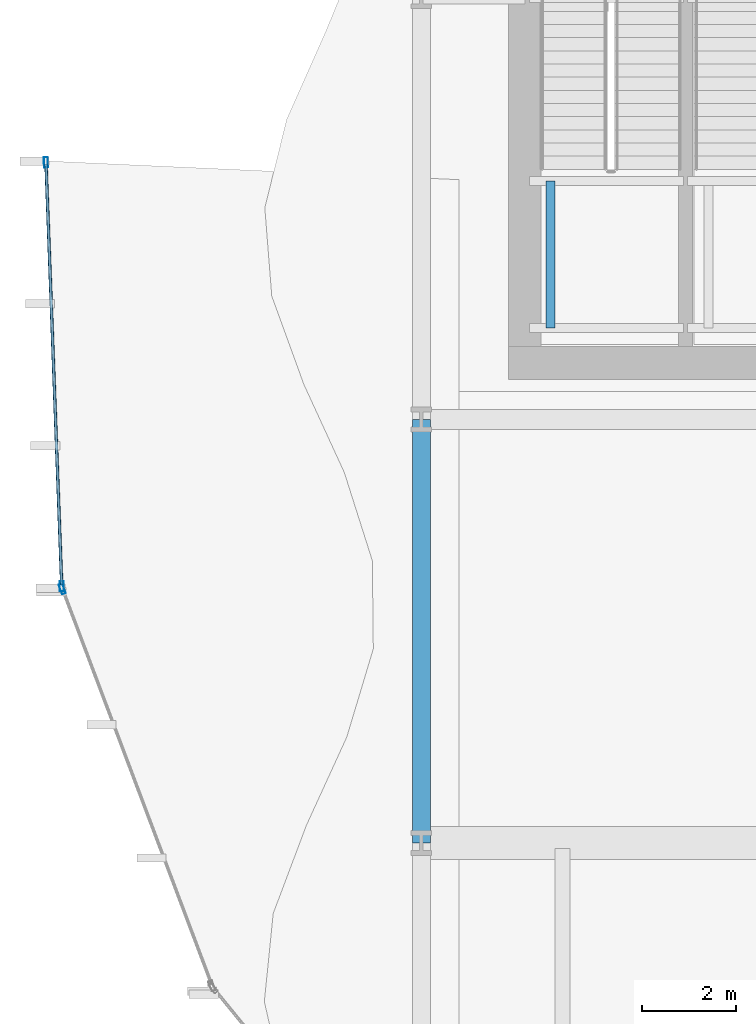
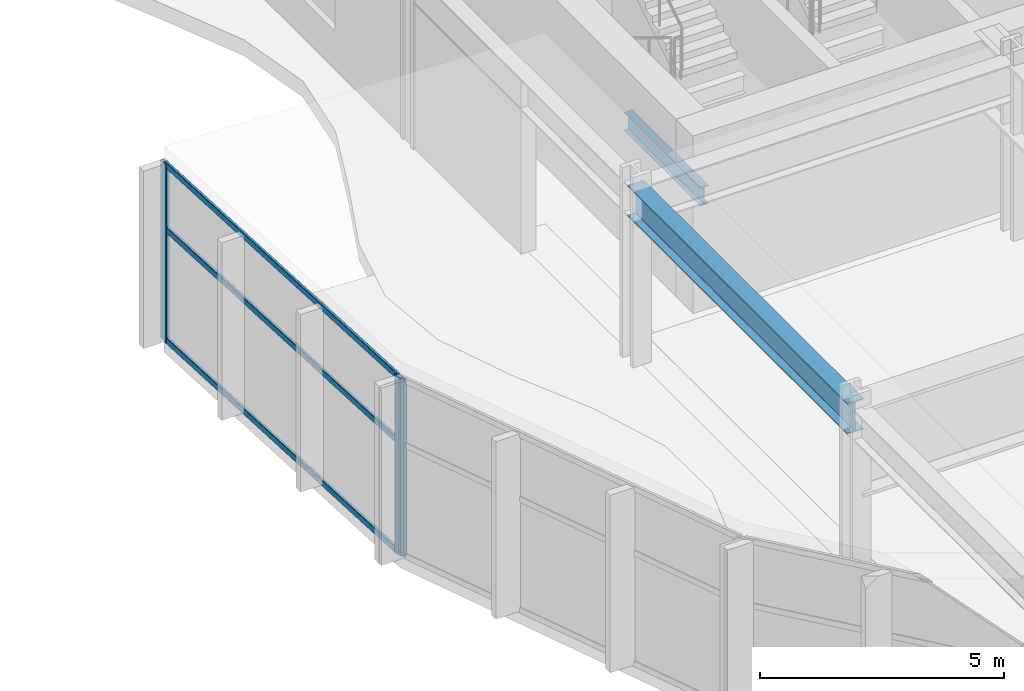
# One storey, part 6 of 31: 6 members, 2 beams, 2 elements without a shape of their own.
"""IFC4 building model written with IfcOpenShell, lengths in metres."""

from ifc_helpers import new_model, si_unit, direction, frame, origin, origin_2d, place, context, subcontext, project, spatial, hollow_rectangle, i_section, extrude, material, layer, layer_set, material_profile, profile_set, type_object, element, aggregate, save


model = new_model("IFC4")

# Units and contexts
model_context = context("Model", 3, precision=1e-05, world=origin(), true_north=direction((0.0, 1.0)))
body_context = subcontext(model_context, "Body", "Model", "MODEL_VIEW")
ifc_project = project(units=[si_unit("LENGTHUNIT", "METRE"), si_unit("AREAUNIT", "SQUARE_METRE"), si_unit("VOLUMEUNIT", "CUBIC_METRE"), si_unit("PLANEANGLEUNIT", "RADIAN"), si_unit("MASSUNIT", "GRAM", prefix="KILO")], contexts=[model_context])

# Site, building, storey
site_placement = place(None, origin())
site = spatial("IfcSite", under=ifc_project, at=site_placement, CompositionType="ELEMENT")
building_placement = place(site_placement, origin())
building = spatial("IfcBuilding", under=site, at=building_placement, Name="Solvaryn Broadcast Tower", CompositionType="ELEMENT")
storey_placement = place(building_placement, frame((0.0, 0.0, 26.0)))
storey = spatial("IfcBuildingStorey", under=building, at=storey_placement, Name="L05", CompositionType="ELEMENT", Elevation=26.0)

# Beams
ifc_material_1 = material(Name="Steel ASTM A992 Grade 50", Category="steel")
ifc_material_profile_1 = material_profile(ifc_material_1, i_section(OverallWidth=0.18994140625, OverallDepth=0.45703125, WebThickness=0.009033203125, FlangeThickness=0.014404296875, FilletRadius=0.011962890625, at=origin_2d()))
ifc_profile_set_1 = profile_set([ifc_material_profile_1], Name="Steel ASTM A992 Grade 50")
beam_type_1 = type_object("IfcBeamType", Name="BM-B4-W18X50", PredefinedType="BEAM", material=ifc_profile_set_1)
beam_1_placement = place(storey_placement, frame((11.75, 28.949951171875, 1.971435546875), z_axis=(0.0, 1.0, 0.0), x_axis=(-1.0, 0.0, 0.0)))
element("IfcBeam", 1, at=beam_1_placement, inside=storey, type_object=beam_type_1, Name="L05 ST1 Landing Cross Stringer 1C", PredefinedType="BEAM", context=body_context, shape_type="SweptSolid", body=[
    extrude(i_section(OverallWidth=0.18994140625, OverallDepth=0.45703125, WebThickness=0.009033203125, FlangeThickness=0.014404296875, FilletRadius=0.011962890625, at=origin_2d()), origin(), (0.0, 0.0, 1.0), 3.1201171875),
])
ifc_material_2 = material(Name="Steel ASTM A992 Grade 50", Category="steel")
ifc_material_profile_2 = material_profile(ifc_material_2, i_section(OverallWidth=0.381103515625, OverallDepth=0.77294921875, WebThickness=0.0166015625, FlangeThickness=0.027099609375, FilletRadius=0.01806640625, at=origin_2d()))
ifc_profile_set_2 = profile_set([ifc_material_profile_2], Name="Steel ASTM A992 Grade 50")
beam_type_2 = type_object("IfcBeamType", Name="BM-SP1-W30X173", PredefinedType="USERDEFINED", material=ifc_profile_set_2)
beam_2_placement = place(storey_placement, frame((9.0, 18.0, 4.053466796875), z_axis=(0.0, 1.0, 0.0), x_axis=(-1.0, 0.0, 0.0)))
element("IfcBeam", 2, at=beam_2_placement, inside=storey, type_object=beam_type_2, Name="L05 Spandrel Beam Y (18-27 @ X=9)", ObjectType="SPANDREL", PredefinedType="USERDEFINED", context=body_context, shape_type="SweptSolid", body=[
    extrude(i_section(OverallWidth=0.381103515625, OverallDepth=0.77294921875, WebThickness=0.0166015625, FlangeThickness=0.027099609375, FilletRadius=0.01806640625, at=origin_2d()), origin(), (0.0, 0.0, 1.0), 9.0),
])

# Curtain wall, members
ifc_material_3 = material(Name="Aluminium and Terracotta Unitised Curtain Wall", Category="masonry")
ifc_layer = layer(ifc_material_3, 0.219970703125)
ifc_layer_set = layer_set([ifc_layer], Name="CW-SYS1-PODIUM")
curtain_wall_type = type_object("IfcCurtainWallType", Name="CW-SYS1-PODIUM", PredefinedType="NOTDEFINED", material=ifc_layer_set)
curtain_wall_1_placement = place(storey_placement, origin())
curtain_wall_1 = element("IfcCurtainWall", 3, at=curtain_wall_1_placement, inside=storey, type_object=curtain_wall_type, Name="L05 Podium Curtain Wall DC1", PredefinedType="NOTDEFINED")
ifc_material_4 = material(Name="Anodised Aluminium 6063-T6", Category="aluminium")
ifc_material_profile_3 = material_profile(ifc_material_4, hollow_rectangle(XDim=0.0849609375, YDim=0.219970703125, WallThickness=0.0048828125, InnerFilletRadius=0.0048828125, OuterFilletRadius=0.010009765625, at=origin_2d()))
ifc_profile_set_3 = profile_set([ifc_material_profile_3], Name="Anodised Aluminium 6063-T6")
member_type_1 = type_object("IfcMemberType", Name="CW-MUL-220", PredefinedType="MULLION", material=ifc_profile_set_3)
member_1_placement = place(storey_placement, frame((1.01904296875, 32.468017578125, 0.0), z_axis=(0.0, 0.0, 1.0), x_axis=(0.999306661256, 0.037231663524, 0.0)))
member_1 = element("IfcMember", 4, at=member_1_placement, type_object=member_type_1, Name="CWS1 mullion 1", PredefinedType="MULLION", context=body_context, shape_type="SweptSolid", body=[
    extrude(hollow_rectangle(XDim=0.0849609375, YDim=0.219970703125, WallThickness=0.0048828125, InnerFilletRadius=0.0048828125, OuterFilletRadius=0.010009765625, at=origin_2d()), origin(), (0.0, 0.0, 1.0), 4.43994140625),
])
member_2_placement = place(storey_placement, frame((1.35498046875, 23.4560546875, 0.0), z_axis=(0.0, 0.0, 1.0), x_axis=(0.999306661256, 0.037231663524, 0.0)))
member_2 = element("IfcMember", 5, at=member_2_placement, type_object=member_type_1, Name="CWS1 mullion 2", PredefinedType="MULLION", context=body_context, shape_type="SweptSolid", body=[
    extrude(hollow_rectangle(XDim=0.0849609375, YDim=0.219970703125, WallThickness=0.0048828125, InnerFilletRadius=0.0048828125, OuterFilletRadius=0.010009765625, at=origin_2d()), origin(), (0.0, 0.0, 1.0), 4.43994140625),
])

# Curtain wall, member
curtain_wall_2_placement = place(storey_placement, origin())
curtain_wall_2 = element("IfcCurtainWall", 6, at=curtain_wall_2_placement, inside=storey, type_object=curtain_wall_type, Name="L05 Podium Curtain Wall DC2", PredefinedType="NOTDEFINED")
member_3_placement = place(storey_placement, frame((1.36669921875, 23.39794921875, 0.0), z_axis=(0.0, 0.0, 1.0), x_axis=(0.93564839494, 0.352933536301, 0.0)))
member_3 = element("IfcMember", 7, at=member_3_placement, type_object=member_type_1, Name="CWS1 mullion 1", PredefinedType="MULLION", context=body_context, shape_type="SweptSolid", body=[
    extrude(hollow_rectangle(XDim=0.0849609375, YDim=0.219970703125, WallThickness=0.0048828125, InnerFilletRadius=0.0048828125, OuterFilletRadius=0.010009765625, at=origin_2d()), origin(), (0.0, 0.0, 1.0), 4.43994140625),
])
aggregate(curtain_wall_2, [member_3])

# Member
ifc_material_5 = material(Name="Anodised Aluminium 6063-T6", Category="aluminium")
ifc_material_profile_4 = material_profile(ifc_material_5, hollow_rectangle(XDim=0.06494140625, YDim=0.14990234375, WallThickness=0.00390625, InnerFilletRadius=0.00390625, OuterFilletRadius=0.008056640625, at=origin_2d()))
ifc_profile_set_4 = profile_set([ifc_material_profile_4], Name="Anodised Aluminium 6063-T6")
member_type_2 = type_object("IfcMemberType", Name="CW-TRN-150", PredefinedType="USERDEFINED", material=ifc_profile_set_4)
member_4_placement = place(storey_placement, frame((1.020263671875, 32.43798828125, 0.030029296875), z_axis=(0.037227367675, -0.9993068213, 0.0), x_axis=(0.9993068213, 0.037227367675, 0.0)))
member_4 = element("IfcMember", 8, at=member_4_placement, type_object=member_type_2, Name="CWS1 transom 1.1", ObjectType="TRANSOM", PredefinedType="USERDEFINED", context=body_context, shape_type="SweptSolid", body=[
    extrude(hollow_rectangle(XDim=0.06494140625, YDim=0.14990234375, WallThickness=0.00390625, InnerFilletRadius=0.00390625, OuterFilletRadius=0.008056640625, at=origin_2d()), origin(), (0.0, 0.0, 1.0), 8.958251953125),
])

member_5_placement = place(storey_placement, frame((1.020263671875, 32.43798828125, 2.800048828125), z_axis=(0.037227367675, -0.9993068213, 0.0), x_axis=(0.9993068213, 0.037227367675, 0.0)))
member_5 = element("IfcMember", 9, at=member_5_placement, type_object=member_type_2, Name="CWS1 transom 1.2", ObjectType="TRANSOM", PredefinedType="USERDEFINED", context=body_context, shape_type="SweptSolid", body=[
    extrude(hollow_rectangle(XDim=0.06494140625, YDim=0.14990234375, WallThickness=0.00390625, InnerFilletRadius=0.00390625, OuterFilletRadius=0.008056640625, at=origin_2d()), origin(), (0.0, 0.0, 1.0), 8.958251953125),
])

member_6_placement = place(storey_placement, frame((1.020263671875, 32.43798828125, 4.409912109375), z_axis=(0.037227367675, -0.9993068213, 0.0), x_axis=(0.9993068213, 0.037227367675, 0.0)))
member_6 = element("IfcMember", 10, at=member_6_placement, type_object=member_type_2, Name="CWS1 transom 1.3", ObjectType="TRANSOM", PredefinedType="USERDEFINED", context=body_context, shape_type="SweptSolid", body=[
    extrude(hollow_rectangle(XDim=0.06494140625, YDim=0.14990234375, WallThickness=0.00390625, InnerFilletRadius=0.00390625, OuterFilletRadius=0.008056640625, at=origin_2d()), origin(), (0.0, 0.0, 1.0), 8.958251953125),
])

aggregate(curtain_wall_1, [member_1, member_2, member_4, member_5, member_6])

save(model, "model.ifc")
